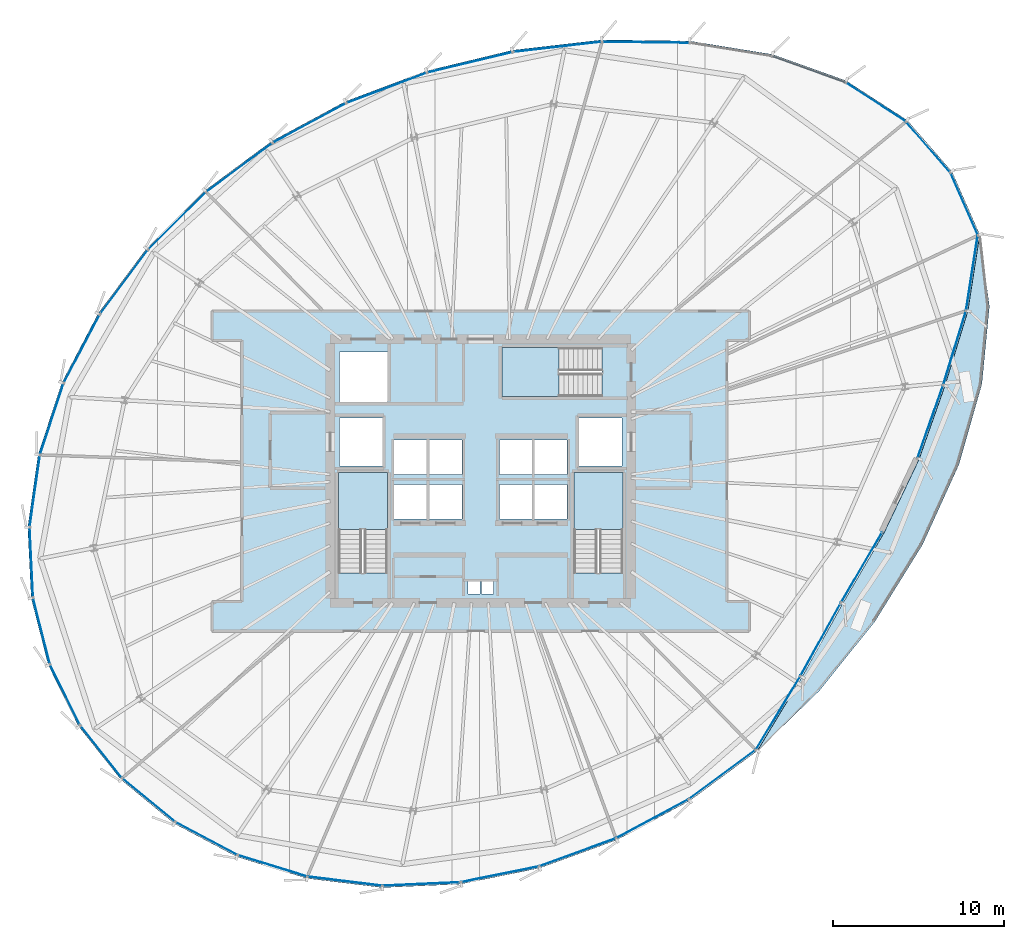
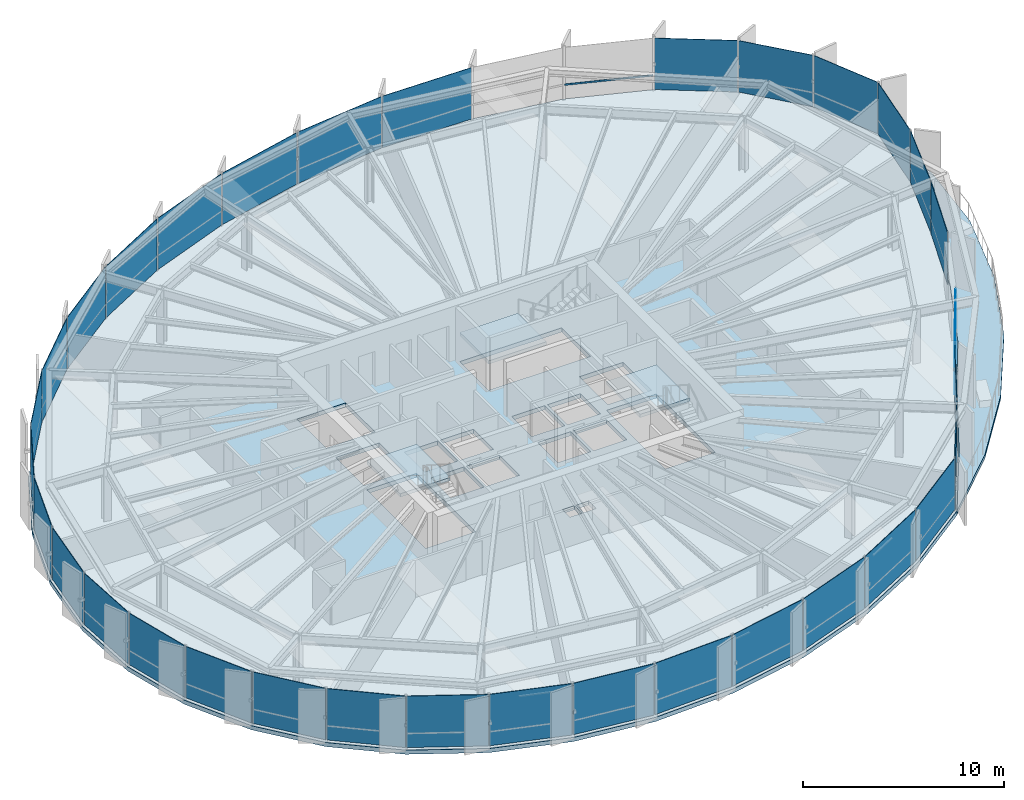
# One storey, part 29 of 36: 33 plates, 5 slabs, 1 member, 10 elements without a shape of their own.
"""IFC4 building model written with IfcOpenShell, lengths in metres."""

from ifc_helpers import new_model, si_unit, direction, frame, origin, origin_2d, place, context, subcontext, project, spatial, polyline, rectangle, hollow_rectangle, outline, extrude, source, transform, mapped, material, layer, layer_set, material_profile, profile_set, type_object, element, aggregate, save


model = new_model("IFC4")

# Units and contexts
model_context = context("Model", 3, precision=1e-05, world=origin(), true_north=direction((0.0, 1.0)))
body_context = subcontext(model_context, "Body", "Model", "MODEL_VIEW")
ifc_project = project(units=[si_unit("LENGTHUNIT", "METRE"), si_unit("AREAUNIT", "SQUARE_METRE"), si_unit("VOLUMEUNIT", "CUBIC_METRE"), si_unit("PLANEANGLEUNIT", "RADIAN"), si_unit("MASSUNIT", "GRAM", prefix="KILO"), si_unit("THERMODYNAMICTEMPERATUREUNIT", "KELVIN")], contexts=[model_context])

# Site, building, storey
site_placement = place(None, origin())
site = spatial("IfcSite", under=ifc_project, at=site_placement, CompositionType="ELEMENT")
building_placement = place(site_placement, origin())
building = spatial("IfcBuilding", under=site, at=building_placement, Name="Kethvar Cultural Tower", CompositionType="ELEMENT")
storey_placement = place(building_placement, frame((0.0, 0.0, 164.300048828125)))
storey = spatial("IfcBuildingStorey", under=building, at=storey_placement, Name="L42", CompositionType="ELEMENT", Elevation=164.300048828125)

# Curtain wall, member
ifc_material_1 = material(Name="Aluminium 6063-T6", Category="aluminium")
ifc_layer_1 = layer(ifc_material_1, 0.179931640625, Name="Aluminium 6063-T6", Category="aluminium")
ifc_layer_set_1 = layer_set([ifc_layer_1], Name="Aluminium 6063-T6 (180 mm)")
curtain_wall_type = type_object("IfcCurtainWallType", Name="CW-SYS-04-Z34", PredefinedType="NOTDEFINED", material=ifc_layer_set_1)
curtain_wall_1_placement = place(storey_placement, origin())
curtain_wall_1 = element("IfcCurtainWall", 1, at=curtain_wall_1_placement, inside=storey, type_object=curtain_wall_type, Name="L42 Curtain Wall Run 01", PredefinedType="NOTDEFINED")
ifc_material_profile = material_profile(ifc_material_1, hollow_rectangle(XDim=0.050048828125, YDim=0.10009765625, WallThickness=0.00390625, at=origin_2d()), Name="Aluminium 6063-T6 — RHS100x50x4")
ifc_profile_set = profile_set([ifc_material_profile], Name="Aluminium 6063-T6 — RHS100x50x4")
member_type = type_object("IfcMemberType", Name="CW-SYS-04-Z34-TRN", PredefinedType="USERDEFINED", material=ifc_profile_set)
shared_shape_1 = source(origin(), body_context, "Body", "SweptSolid", [
    extrude(hollow_rectangle(XDim=0.050048828125, YDim=0.10009765625, WallThickness=0.00390625, at=origin_2d()), origin(), (0.0, 0.0, 1.0), 4.485107421875),
])
member_placement = place(storey_placement, frame((68.1005859375, 50.524658203125, 0.949951171875), z_axis=(-0.941624862059, 0.336663955826, 0.0), x_axis=(-0.336663955826, -0.941624862059, 0.0)))
member = element("IfcMember", 2, at=member_placement, type_object=member_type, Name="CW-L42-R01 Transom 3", ObjectType="TRANSOM", PredefinedType="USERDEFINED", context=body_context, shape_type="MappedRepresentation", body=[
    mapped(shared_shape_1, transform((0.0, 0.0, 0.0), scale=1.0)),
])

# Stair, slab
ifc_material_2 = material(Name="Concrete C40/50", Category="concrete")
stair_type = type_object("IfcStairType", Name="ST-DOGLEG-135", PredefinedType="HALF_TURN_STAIR", material=ifc_material_2)
stair_1_placement = place(storey_placement, origin())
stair_1 = element("IfcStair", 3, at=stair_1_placement, inside=storey, type_object=stair_type, Name="L42 Core Exit Stair 1", PredefinedType="HALF_TURN_STAIR")
ifc_layer_2 = layer(ifc_material_2, 0.199951171875, Name="Concrete C40/50", Category="concrete")
ifc_layer_set_2 = layer_set([ifc_layer_2], Name="Concrete C40/50 (200 mm)")
slab_type_1 = type_object("IfcSlabType", Name="SL-STAIR-LANDING-200", PredefinedType="LANDING", material=ifc_layer_set_2)
slab_1_placement = place(storey_placement, frame((0.0, 0.0, 1.574951171875)))
slab_1 = element("IfcSlab", 4, at=slab_1_placement, type_object=slab_type_1, Name="ST-01 landing 1", PredefinedType="LANDING", context=body_context, shape_type="SweptSolid", body=[
    extrude(outline(polyline([(41.35009765625, 24.3701171875), (41.35009765625, 27.699951171875), (38.489990234375, 27.699951171875), (38.489990234375, 24.3701171875), (41.35009765625, 24.3701171875)])), origin(), (0.0, 0.0, 1.0), 0.199951171875),
])
aggregate(stair_1, [slab_1])

stair_2_placement = place(storey_placement, origin())
stair_2 = element("IfcStair", 5, at=stair_2_placement, inside=storey, type_object=stair_type, Name="L42 Core Exit Stair 2", PredefinedType="HALF_TURN_STAIR")
slab_2_placement = place(storey_placement, frame((0.0, 0.0, 1.574951171875)))
slab_2 = element("IfcSlab", 6, at=slab_2_placement, type_object=slab_type_1, Name="ST-02 landing 1", PredefinedType="LANDING", context=body_context, shape_type="SweptSolid", body=[
    extrude(outline(polyline([(55.110107421875, 24.3701171875), (55.110107421875, 27.699951171875), (52.25, 27.699951171875), (52.25, 24.3701171875), (55.110107421875, 24.3701171875)])), origin(), (0.0, 0.0, 1.0), 0.199951171875),
])
aggregate(stair_2, [slab_2])

stair_3_placement = place(storey_placement, origin())
stair_3 = element("IfcStair", 7, at=stair_3_placement, inside=storey, type_object=stair_type, Name="L42 Core Exit Stair 3", PredefinedType="HALF_TURN_STAIR")
slab_3_placement = place(storey_placement, frame((0.0, 0.0, 1.574951171875)))
slab_3 = element("IfcSlab", 8, at=slab_3_placement, type_object=slab_type_1, Name="ST-03 landing 1", PredefinedType="LANDING", context=body_context, shape_type="SweptSolid", body=[
    extrude(outline(polyline([(51.3798828125, 35.010009765625), (48.050048828125, 35.010009765625), (48.050048828125, 32.14990234375), (51.3798828125, 32.14990234375), (51.3798828125, 35.010009765625)])), origin(), (0.0, 0.0, 1.0), 0.199951171875),
])
aggregate(stair_3, [slab_3])

# Slabs
ifc_layer_3 = layer(ifc_material_2, 0.215087890625, Name="Concrete C40/50", Category="concrete")
ifc_layer_set_3 = layer_set([ifc_layer_3], Name="Concrete C40/50 (215 mm)")
slab_type_2 = type_object("IfcSlabType", Name="SL-TER-EXT", PredefinedType="FLOOR", material=ifc_layer_set_3)
slab_4_placement = place(storey_placement, frame((0.0, 0.0, -0.215087890625)))
element("IfcSlab", 9, at=slab_4_placement, inside=storey, type_object=slab_type_2, Name="L42 Spiralling Sky Terrace Deck", PredefinedType="FLOOR", context=body_context, shape_type="SweptSolid", body=[
    extrude(outline(polyline([(62.978759765625, 11.44287109375), (66.61181640625, 14.968017578125), (69.864013671875, 19.023681640625), (72.624267578125, 23.478515625), (74.75341796875, 28.161865234375), (76.104736328125, 32.879638671875), (76.544921875, 37.429931640625), (75.9775390625, 41.6220703125), (75.282470703125, 37.152587890625), (73.944580078125, 32.789306640625), (72.424072265625, 28.47265625), (70.38427734375, 24.18896484375), (67.947998046875, 20.025390625), (65.587646484375, 15.756591796875), (62.978759765625, 11.44287109375)])), origin(), (0.0, 0.0, 1.0), 0.215087890625),
])
ifc_layer_4 = layer(ifc_material_2, 0.25, Name="Concrete C40/50", Category="concrete")
ifc_layer_set_4 = layer_set([ifc_layer_4], Name="Concrete C40/50 (250 mm)")
slab_type_3 = type_object("IfcSlabType", Name="SL-TOW-250", PredefinedType="FLOOR", material=ifc_layer_set_4)
slab_5_placement = place(storey_placement, frame((0.0, 0.0, -0.25)))
element("IfcSlab", 10, at=slab_5_placement, inside=storey, type_object=slab_type_3, Name="L42 Structural Floor Slab", PredefinedType="FLOOR", context=body_context, shape_type="SweptSolid", body=[
    extrude(outline(polyline([(74.363037109375, 45.2919921875), (71.729736328125, 48.3154296875), (68.17822265625, 50.613525390625), (63.87353515625, 52.15283203125), (59.029541015625, 52.93896484375), (53.885009765625, 53.006591796875), (48.67919921875, 52.40576171875), (43.624755859375, 51.189697265625), (38.88818359375, 49.403564453125), (34.56884765625, 47.072998046875), (30.672119140625, 44.189453125), (27.265625, 40.807861328125), (24.452392578125, 37.031005859375), (22.318359375, 32.9736328125), (20.927978515625, 28.759033203125), (20.323974609375, 24.515380859375), (20.5244140625, 20.37158203125), (21.52294921875, 16.453369140625), (23.289794921875, 12.8798828125), (25.770751953125, 9.760009765625), (28.890869140625, 7.18798828125), (32.55517578125, 5.2421875), (36.652099609375, 3.982177734375), (41.0576171875, 3.445556640625), (45.63720703125, 3.64892578125), (50.25244140625, 4.586181640625), (54.7626953125, 6.22900390625), (59.031005859375, 8.52685546875), (62.978759765625, 11.44287109375), (65.587646484375, 15.756591796875), (67.947998046875, 20.025390625), (70.38427734375, 24.18896484375), (72.424072265625, 28.47265625), (73.944580078125, 32.789306640625), (75.282470703125, 37.152587890625), (75.9775390625, 41.6220703125), (74.363037109375, 45.2919921875)]), holes=[polyline([(38.489990234375, 21.85009765625), (38.489990234375, 27.699951171875), (41.35009765625, 27.699951171875), (41.35009765625, 21.85009765625), (38.489990234375, 21.85009765625)]), polyline([(52.25, 21.85009765625), (52.25, 27.699951171875), (55.110107421875, 27.699951171875), (55.110107421875, 21.85009765625), (52.25, 21.85009765625)]), polyline([(53.89990234375, 32.14990234375), (48.050048828125, 32.14990234375), (48.050048828125, 35.010009765625), (53.89990234375, 35.010009765625), (53.89990234375, 32.14990234375)]), polyline([(41.75, 27.0), (43.64990234375, 27.0), (43.64990234375, 25.0), (41.75, 25.0), (41.75, 27.0)]), polyline([(43.800048828125, 27.0), (45.699951171875, 27.0), (45.699951171875, 25.0), (43.800048828125, 25.0), (43.800048828125, 27.0)]), polyline([(47.89990234375, 27.0), (49.800048828125, 27.0), (49.800048828125, 25.0), (47.89990234375, 25.0), (47.89990234375, 27.0)]), polyline([(49.949951171875, 27.0), (51.85009765625, 27.0), (51.85009765625, 25.0), (49.949951171875, 25.0), (49.949951171875, 27.0)]), polyline([(41.75, 29.60009765625), (43.64990234375, 29.60009765625), (43.64990234375, 27.60009765625), (41.75, 27.60009765625), (41.75, 29.60009765625)]), polyline([(43.800048828125, 29.60009765625), (45.699951171875, 29.60009765625), (45.699951171875, 27.60009765625), (43.800048828125, 27.60009765625), (43.800048828125, 29.60009765625)]), polyline([(47.89990234375, 29.60009765625), (49.800048828125, 29.60009765625), (49.800048828125, 27.60009765625), (47.89990234375, 27.60009765625), (47.89990234375, 29.60009765625)]), polyline([(49.949951171875, 29.60009765625), (51.85009765625, 29.60009765625), (51.85009765625, 27.60009765625), (49.949951171875, 27.60009765625), (49.949951171875, 29.60009765625)]), polyline([(38.550048828125, 30.89990234375), (41.050048828125, 30.89990234375), (41.050048828125, 28.10009765625), (38.550048828125, 28.10009765625), (38.550048828125, 30.89990234375)]), polyline([(52.550048828125, 30.89990234375), (55.050048828125, 30.89990234375), (55.050048828125, 28.10009765625), (52.550048828125, 28.10009765625), (52.550048828125, 30.89990234375)]), polyline([(38.550048828125, 34.75), (41.35009765625, 34.75), (41.35009765625, 31.85009765625), (38.550048828125, 31.85009765625), (38.550048828125, 34.75)]), polyline([(46.050048828125, 21.35009765625), (46.75, 21.35009765625), (46.75, 20.60009765625), (46.050048828125, 20.60009765625), (46.050048828125, 21.35009765625)]), polyline([(46.85009765625, 21.35009765625), (47.550048828125, 21.35009765625), (47.550048828125, 20.60009765625), (46.85009765625, 20.60009765625), (46.85009765625, 21.35009765625)])]), origin(), (0.0, 0.0, 1.0), 0.25),
])

# Curtain wall, plate
curtain_wall_2_placement = place(storey_placement, origin())
curtain_wall_2 = element("IfcCurtainWall", 11, at=curtain_wall_2_placement, inside=storey, type_object=curtain_wall_type, Name="L42 Curtain Wall Run 03", PredefinedType="NOTDEFINED")
ifc_material_3 = material(Name="Insulated Low-E Solar Glass", Category="glass")
ifc_layer_5 = layer(ifc_material_3, 0.030029296875, Name="Insulated Low-E Solar Glass", Category="glass")
ifc_layer_set_5 = layer_set([ifc_layer_5], Name="Insulated Low-E Solar Glass (30 mm)")
plate_type = type_object("IfcPlateType", Name="CW-SYS-04-Z34-PNL", PredefinedType="CURTAIN_PANEL", material=ifc_layer_set_5)
shared_shape_2 = source(origin(), body_context, "Body", "SweptSolid", [
    extrude(rectangle(XDim=4.351318359375, YDim=0.030029296875, at=origin_2d()), origin(), (0.0, 0.0, 1.0), 3.1201171875),
])
plate_1_placement = place(storey_placement, frame((21.7275390625, 30.831787109375, 0.08984375), z_axis=(0.0, 0.0, 1.0), x_axis=(-0.313263257026, -0.949666326558, 0.0)))
plate_1 = element("IfcPlate", 12, at=plate_1_placement, type_object=plate_type, Name="CW-L42-R03 Vision Glazing Panel 2", PredefinedType="CURTAIN_PANEL", context=body_context, shape_type="MappedRepresentation", body=[
    mapped(shared_shape_2, transform((0.0, 0.0, 0.0), scale=1.0)),
])

# Plate
shared_shape_3 = source(origin(), body_context, "Body", "SweptSolid", [
    extrude(rectangle(XDim=3.923095703125, YDim=0.030029296875, at=origin_2d()), origin(), (0.0, 0.0, 1.0), 3.1201171875),
])
plate_2_placement = place(storey_placement, frame((72.96337890625, 46.7314453125, 0.08984375), z_axis=(0.0, 0.0, 1.0), x_axis=(-0.656756873061, 0.75410238674, 0.0)))
plate_2 = element("IfcPlate", 13, at=plate_2_placement, type_object=plate_type, Name="CW-L42-R01 Vision Glazing Panel 1", PredefinedType="CURTAIN_PANEL", context=body_context, shape_type="MappedRepresentation", body=[
    mapped(shared_shape_3, transform((0.0, 0.0, 0.0), scale=1.0)),
])

# Curtain wall, plate
curtain_wall_3_placement = place(storey_placement, origin())
curtain_wall_3 = element("IfcCurtainWall", 14, at=curtain_wall_3_placement, inside=storey, type_object=curtain_wall_type, Name="L42 Curtain Wall Run 07", PredefinedType="NOTDEFINED")
plate_3_placement = place(storey_placement, frame((75.069580078125, 43.41259765625, 0.08984375), z_axis=(0.0, 0.0, 1.0), x_axis=(-0.40269876371, 0.915332565632, 0.0)))
plate_3 = element("IfcPlate", 15, at=plate_3_placement, type_object=plate_type, Name="CW-L42-R07 Vision Glazing Panel 4", PredefinedType="CURTAIN_PANEL", context=body_context, shape_type="MappedRepresentation", body=[
    mapped(shared_shape_3, transform((0.0, 0.0, 0.0), scale=1.0)),
])

# Plate
shared_shape_4 = source(origin(), body_context, "Body", "SweptSolid", [
    extrude(rectangle(XDim=4.143798828125, YDim=0.030029296875, at=origin_2d()), origin(), (0.0, 0.0, 1.0), 3.1201171875),
])
plate_4_placement = place(storey_placement, frame((69.894287109375, 49.372314453125, 0.08984375), z_axis=(0.0, 0.0, 1.0), x_axis=(-0.839572460425, 0.543247718538, 0.0)))
plate_4 = element("IfcPlate", 16, at=plate_4_placement, type_object=plate_type, Name="CW-L42-R01 Vision Glazing Panel 2", PredefinedType="CURTAIN_PANEL", context=body_context, shape_type="MappedRepresentation", body=[
    mapped(shared_shape_4, transform((0.0, 0.0, 0.0), scale=1.0)),
])

shared_shape_5 = source(origin(), body_context, "Body", "SweptSolid", [
    extrude(rectangle(XDim=5.058349609375, YDim=0.030029296875, at=origin_2d()), origin(), (0.0, 0.0, 1.0), 3.1201171875),
])
plate_5_placement = place(storey_placement, frame((56.455810546875, 52.86279296875, 0.08984375), z_axis=(0.0, 0.0, 1.0), x_axis=(-0.999913640834, 0.013141950945, 0.0)))
plate_5 = element("IfcPlate", 17, at=plate_5_placement, type_object=plate_type, Name="CW-L42-R01 Vision Glazing Panel 5", PredefinedType="CURTAIN_PANEL", context=body_context, shape_type="MappedRepresentation", body=[
    mapped(shared_shape_5, transform((0.0, 0.0, 0.0), scale=1.0)),
])

shared_shape_6 = source(origin(), body_context, "Body", "SweptSolid", [
    extrude(rectangle(XDim=5.154296875, YDim=0.030029296875, at=origin_2d()), origin(), (0.0, 0.0, 1.0), 3.1201171875),
])
plate_6_placement = place(storey_placement, frame((51.294677734375, 52.596923828125, 0.08984375), z_axis=(0.0, 0.0, 1.0), x_axis=(-0.993406824413, -0.114642405805, 0.0)))
plate_6 = element("IfcPlate", 18, at=plate_6_placement, type_object=plate_type, Name="CW-L42-R01 Vision Glazing Panel 6", PredefinedType="CURTAIN_PANEL", context=body_context, shape_type="MappedRepresentation", body=[
    mapped(shared_shape_6, transform((0.0, 0.0, 0.0), scale=1.0)),
])

aggregate(curtain_wall_1, [plate_2, plate_4, member, plate_5, plate_6])

# Curtain wall, plates
curtain_wall_4_placement = place(storey_placement, origin())
curtain_wall_4 = element("IfcCurtainWall", 19, at=curtain_wall_4_placement, inside=storey, type_object=curtain_wall_type, Name="L42 Curtain Wall Run 02", PredefinedType="NOTDEFINED")
shared_shape_7 = source(origin(), body_context, "Body", "SweptSolid", [
    extrude(rectangle(XDim=5.112060546875, YDim=0.030029296875, at=origin_2d()), origin(), (0.0, 0.0, 1.0), 3.1201171875),
])
plate_7_placement = place(storey_placement, frame((46.177490234375, 51.69091796875, 0.08984375), z_axis=(0.0, 0.0, 1.0), x_axis=(-0.972255721365, -0.233920525548, 0.0)))
plate_7 = element("IfcPlate", 20, at=plate_7_placement, type_object=plate_type, Name="CW-L42-R02 Vision Glazing Panel 1", PredefinedType="CURTAIN_PANEL", context=body_context, shape_type="MappedRepresentation", body=[
    mapped(shared_shape_7, transform((0.0, 0.0, 0.0), scale=1.0)),
])
shared_shape_8 = source(origin(), body_context, "Body", "SweptSolid", [
    extrude(rectangle(XDim=4.975830078125, YDim=0.030029296875, at=origin_2d()), origin(), (0.0, 0.0, 1.0), 3.1201171875),
])
plate_8_placement = place(storey_placement, frame((41.29541015625, 50.193603515625, 0.08984375), z_axis=(0.0, 0.0, 1.0), x_axis=(-0.935678258471, -0.352854356108, 0.0)))
plate_8 = element("IfcPlate", 21, at=plate_8_placement, type_object=plate_type, Name="CW-L42-R02 Vision Glazing Panel 2", PredefinedType="CURTAIN_PANEL", context=body_context, shape_type="MappedRepresentation", body=[
    mapped(shared_shape_8, transform((0.0, 0.0, 0.0), scale=1.0)),
])
shared_shape_9 = source(origin(), body_context, "Body", "SweptSolid", [
    extrude(rectangle(XDim=4.8212890625, YDim=0.030029296875, at=origin_2d()), origin(), (0.0, 0.0, 1.0), 3.1201171875),
])
plate_9_placement = place(storey_placement, frame((36.78076171875, 48.1416015625, 0.08984375), z_axis=(0.0, 0.0, 1.0), x_axis=(-0.88007987337, -0.474825669577, 0.0)))
plate_9 = element("IfcPlate", 22, at=plate_9_placement, type_object=plate_type, Name="CW-L42-R02 Vision Glazing Panel 3", PredefinedType="CURTAIN_PANEL", context=body_context, shape_type="MappedRepresentation", body=[
    mapped(shared_shape_9, transform((0.0, 0.0, 0.0), scale=1.0)),
])

# Curtain wall, plate
curtain_wall_5_placement = place(storey_placement, origin())
curtain_wall_5 = element("IfcCurtainWall", 23, at=curtain_wall_5_placement, inside=storey, type_object=curtain_wall_type, Name="L42 Curtain Wall Run 05", PredefinedType="NOTDEFINED")
plate_10_placement = place(storey_placement, frame((60.939453125, 10.0732421875, 0.08984375), z_axis=(0.0, 0.0, 1.0), x_axis=(0.804354896043, 0.594149140547, 0.0)))
plate_10 = element("IfcPlate", 24, at=plate_10_placement, type_object=plate_type, Name="CW-L42-R05 Vision Glazing Panel 4", PredefinedType="CURTAIN_PANEL", context=body_context, shape_type="MappedRepresentation", body=[
    mapped(shared_shape_9, transform((0.0, 0.0, 0.0), scale=1.0)),
])

# Plate
shared_shape_10 = source(origin(), body_context, "Body", "SweptSolid", [
    extrude(rectangle(XDim=4.76123046875, YDim=0.030029296875, at=origin_2d()), origin(), (0.0, 0.0, 1.0), 3.1201171875),
])
plate_11_placement = place(storey_placement, frame((32.68603515625, 45.54296875, 0.08984375), z_axis=(0.0, 0.0, 1.0), x_axis=(-0.803836096895, -0.594850846287, 0.0)))
plate_11 = element("IfcPlate", 25, at=plate_11_placement, type_object=plate_type, Name="CW-L42-R02 Vision Glazing Panel 4", PredefinedType="CURTAIN_PANEL", context=body_context, shape_type="MappedRepresentation", body=[
    mapped(shared_shape_10, transform((0.0, 0.0, 0.0), scale=1.0)),
])

plate_12_placement = place(storey_placement, frame((56.8447265625, 7.474853515625, 0.08984375), z_axis=(0.0, 0.0, 1.0), x_axis=(0.880502175503, 0.474042106711, 0.0)))
plate_12 = element("IfcPlate", 26, at=plate_12_placement, type_object=plate_type, Name="CW-L42-R05 Vision Glazing Panel 3", PredefinedType="CURTAIN_PANEL", context=body_context, shape_type="MappedRepresentation", body=[
    mapped(shared_shape_10, transform((0.0, 0.0, 0.0), scale=1.0)),
])

shared_shape_11 = source(origin(), body_context, "Body", "SweptSolid", [
    extrude(rectangle(XDim=4.713623046875, YDim=0.030029296875, at=origin_2d()), origin(), (0.0, 0.0, 1.0), 3.1201171875),
])
plate_13_placement = place(storey_placement, frame((29.04638671875, 42.420654296875, 0.08984375), z_axis=(0.0, 0.0, 1.0), x_axis=(-0.709693707598, -0.704510355776, 0.0)))
plate_13 = element("IfcPlate", 27, at=plate_13_placement, type_object=plate_type, Name="CW-L42-R02 Vision Glazing Panel 5", PredefinedType="CURTAIN_PANEL", context=body_context, shape_type="MappedRepresentation", body=[
    mapped(shared_shape_11, transform((0.0, 0.0, 0.0), scale=1.0)),
])

shared_shape_12 = source(origin(), body_context, "Body", "SweptSolid", [
    extrude(rectangle(XDim=4.623046875, YDim=0.030029296875, at=origin_2d()), origin(), (0.0, 0.0, 1.0), 3.1201171875),
])
plate_14_placement = place(storey_placement, frame((25.947265625, 38.853759765625, 0.08984375), z_axis=(0.0, 0.0, 1.0), x_axis=(-0.597359235249, -0.801973780159, 0.0)))
plate_14 = element("IfcPlate", 28, at=plate_14_placement, type_object=plate_type, Name="CW-L42-R02 Vision Glazing Panel 6", PredefinedType="CURTAIN_PANEL", context=body_context, shape_type="MappedRepresentation", body=[
    mapped(shared_shape_12, transform((0.0, 0.0, 0.0), scale=1.0)),
])

aggregate(curtain_wall_4, [plate_7, plate_8, plate_9, plate_11, plate_13, plate_14])

plate_15_placement = place(storey_placement, frame((47.923095703125, 4.225341796875, 0.08984375), z_axis=(0.0, 0.0, 1.0), x_axis=(0.979997710964, 0.199008759871, 0.0)))
plate_15 = element("IfcPlate", 29, at=plate_15_placement, type_object=plate_type, Name="CW-L42-R05 Vision Glazing Panel 1", PredefinedType="CURTAIN_PANEL", context=body_context, shape_type="MappedRepresentation", body=[
    mapped(shared_shape_12, transform((0.0, 0.0, 0.0), scale=1.0)),
])

shared_shape_13 = source(origin(), body_context, "Body", "SweptSolid", [
    extrude(rectangle(XDim=4.498046875, YDim=0.030029296875, at=origin_2d()), origin(), (0.0, 0.0, 1.0), 3.1201171875),
])
plate_16_placement = place(storey_placement, frame((23.482666015625, 34.951171875, 0.08984375), z_axis=(0.0, 0.0, 1.0), x_axis=(-0.465506395214, -0.885044516403, 0.0)))
plate_16 = element("IfcPlate", 30, at=plate_16_placement, type_object=plate_type, Name="CW-L42-R03 Vision Glazing Panel 1", PredefinedType="CURTAIN_PANEL", context=body_context, shape_type="MappedRepresentation", body=[
    mapped(shared_shape_13, transform((0.0, 0.0, 0.0), scale=1.0)),
])

shared_shape_14 = source(origin(), body_context, "Body", "SweptSolid", [
    extrude(rectangle(XDim=4.199951171875, YDim=0.030029296875, at=origin_2d()), origin(), (0.0, 0.0, 1.0), 3.1201171875),
])
plate_17_placement = place(storey_placement, frame((20.73486328125, 26.62158203125, 0.08984375), z_axis=(0.0, 0.0, 1.0), x_axis=(-0.140935790197, -0.990018738733, 0.0)))
plate_17 = element("IfcPlate", 31, at=plate_17_placement, type_object=plate_type, Name="CW-L42-R03 Vision Glazing Panel 3", PredefinedType="CURTAIN_PANEL", context=body_context, shape_type="MappedRepresentation", body=[
    mapped(shared_shape_14, transform((0.0, 0.0, 0.0), scale=1.0)),
])

# Curtain wall, plate
curtain_wall_6_placement = place(storey_placement, origin())
curtain_wall_6 = element("IfcCurtainWall", 32, at=curtain_wall_6_placement, inside=storey, type_object=curtain_wall_type, Name="L42 Curtain Wall Run 04", PredefinedType="NOTDEFINED")
plate_18_placement = place(storey_placement, frame((34.635986328125, 4.71728515625, 0.08984375), z_axis=(0.0, 0.0, 1.0), x_axis=(0.955808409404, -0.293990279624, 0.0)))
plate_18 = element("IfcPlate", 33, at=plate_18_placement, type_object=plate_type, Name="CW-L42-R04 Vision Glazing Panel 4", PredefinedType="CURTAIN_PANEL", context=body_context, shape_type="MappedRepresentation", body=[
    mapped(shared_shape_14, transform((0.0, 0.0, 0.0), scale=1.0)),
])

# Plate
shared_shape_15 = source(origin(), body_context, "Body", "SweptSolid", [
    extrude(rectangle(XDim=4.062255859375, YDim=0.030029296875, at=origin_2d()), origin(), (0.0, 0.0, 1.0), 3.1201171875),
])
plate_19_placement = place(storey_placement, frame((20.5341796875, 22.44873046875, 0.08984375), z_axis=(0.0, 0.0, 1.0), x_axis=(0.048274490687, -0.998834107121, 0.0)))
plate_19 = element("IfcPlate", 34, at=plate_19_placement, type_object=plate_type, Name="CW-L42-R03 Vision Glazing Panel 4", PredefinedType="CURTAIN_PANEL", context=body_context, shape_type="MappedRepresentation", body=[
    mapped(shared_shape_15, transform((0.0, 0.0, 0.0), scale=1.0)),
])

plate_20_placement = place(storey_placement, frame((30.7744140625, 6.312255859375, 0.08984375), z_axis=(0.0, 0.0, 1.0), x_axis=(0.883217842604, -0.468962943639, 0.0)))
plate_20 = element("IfcPlate", 35, at=plate_20_placement, type_object=plate_type, Name="CW-L42-R04 Vision Glazing Panel 3", PredefinedType="CURTAIN_PANEL", context=body_context, shape_type="MappedRepresentation", body=[
    mapped(shared_shape_15, transform((0.0, 0.0, 0.0), scale=1.0)),
])

shared_shape_16 = source(origin(), body_context, "Body", "SweptSolid", [
    extrude(rectangle(XDim=3.95703125, YDim=0.030029296875, at=origin_2d()), origin(), (0.0, 0.0, 1.0), 3.1201171875),
])
plate_21_placement = place(storey_placement, frame((21.13037109375, 18.439697265625, 0.08984375), z_axis=(0.0, 0.0, 1.0), x_axis=(0.246999012723, -0.969015731407, 0.0)))
plate_21 = element("IfcPlate", 36, at=plate_21_placement, type_object=plate_type, Name="CW-L42-R03 Vision Glazing Panel 5", PredefinedType="CURTAIN_PANEL", context=body_context, shape_type="MappedRepresentation", body=[
    mapped(shared_shape_16, transform((0.0, 0.0, 0.0), scale=1.0)),
])

plate_22_placement = place(storey_placement, frame((27.40087890625, 8.558837890625, 0.08984375), z_axis=(0.0, 0.0, 1.0), x_axis=(0.771624583388, -0.636078220278, 0.0)))
plate_22 = element("IfcPlate", 37, at=plate_22_placement, type_object=plate_type, Name="CW-L42-R04 Vision Glazing Panel 2", PredefinedType="CURTAIN_PANEL", context=body_context, shape_type="MappedRepresentation", body=[
    mapped(shared_shape_16, transform((0.0, 0.0, 0.0), scale=1.0)),
])

shared_shape_17 = source(origin(), body_context, "Body", "SweptSolid", [
    extrude(rectangle(XDim=3.89990234375, YDim=0.030029296875, at=origin_2d()), origin(), (0.0, 0.0, 1.0), 3.1201171875),
])
plate_23_placement = place(storey_placement, frame((22.5048828125, 14.71533203125, 0.08984375), z_axis=(0.0, 0.0, 1.0), x_axis=(0.443212005117, -0.896416821864, 0.0)))
plate_23 = element("IfcPlate", 38, at=plate_23_placement, type_object=plate_type, Name="CW-L42-R03 Vision Glazing Panel 6", PredefinedType="CURTAIN_PANEL", context=body_context, shape_type="MappedRepresentation", body=[
    mapped(shared_shape_17, transform((0.0, 0.0, 0.0), scale=1.0)),
])

aggregate(curtain_wall_2, [plate_16, plate_1, plate_17, plate_19, plate_21, plate_23])

plate_24_placement = place(storey_placement, frame((24.616455078125, 11.388427734375, 0.08984375), z_axis=(0.0, 0.0, 1.0), x_axis=(0.622391697156, -0.782705931567, 0.0)))
plate_24 = element("IfcPlate", 39, at=plate_24_placement, type_object=plate_type, Name="CW-L42-R04 Vision Glazing Panel 1", PredefinedType="CURTAIN_PANEL", context=body_context, shape_type="MappedRepresentation", body=[
    mapped(shared_shape_17, transform((0.0, 0.0, 0.0), scale=1.0)),
])

shared_shape_18 = source(origin(), body_context, "Body", "SweptSolid", [
    extrude(rectangle(XDim=4.3515625, YDim=0.030029296875, at=origin_2d()), origin(), (0.0, 0.0, 1.0), 3.1201171875),
])
plate_25_placement = place(storey_placement, frame((38.8681640625, 3.822998046875, 0.08984375), z_axis=(0.0, 0.0, 1.0), x_axis=(0.992662680495, -0.120916511494, 0.0)))
plate_25 = element("IfcPlate", 40, at=plate_25_placement, type_object=plate_type, Name="CW-L42-R04 Vision Glazing Panel 5", PredefinedType="CURTAIN_PANEL", context=body_context, shape_type="MappedRepresentation", body=[
    mapped(shared_shape_18, transform((0.0, 0.0, 0.0), scale=1.0)),
])

shared_shape_19 = source(origin(), body_context, "Body", "SweptSolid", [
    extrude(rectangle(XDim=4.497802734375, YDim=0.030029296875, at=origin_2d()), origin(), (0.0, 0.0, 1.0), 3.1201171875),
])
plate_26_placement = place(storey_placement, frame((43.342529296875, 3.6572265625, 0.08984375), z_axis=(0.0, 0.0, 1.0), x_axis=(0.999014429711, 0.044386588385, 0.0)))
plate_26 = element("IfcPlate", 41, at=plate_26_placement, type_object=plate_type, Name="CW-L42-R04 Vision Glazing Panel 6", PredefinedType="CURTAIN_PANEL", context=body_context, shape_type="MappedRepresentation", body=[
    mapped(shared_shape_19, transform((0.0, 0.0, 0.0), scale=1.0)),
])

aggregate(curtain_wall_6, [plate_24, plate_22, plate_20, plate_18, plate_25, plate_26])

shared_shape_20 = source(origin(), body_context, "Body", "SweptSolid", [
    extrude(rectangle(XDim=4.7138671875, YDim=0.030029296875, at=origin_2d()), origin(), (0.0, 0.0, 1.0), 3.1201171875),
])
plate_27_placement = place(storey_placement, frame((52.469970703125, 5.510986328125, 0.08984375), z_axis=(0.0, 0.0, 1.0), x_axis=(0.939620967645, 0.342216944585, 0.0)))
plate_27 = element("IfcPlate", 42, at=plate_27_placement, type_object=plate_type, Name="CW-L42-R05 Vision Glazing Panel 2", PredefinedType="CURTAIN_PANEL", context=body_context, shape_type="MappedRepresentation", body=[
    mapped(shared_shape_20, transform((0.0, 0.0, 0.0), scale=1.0)),
])

shared_shape_21 = source(origin(), body_context, "Body", "SweptSolid", [
    extrude(rectangle(XDim=4.955078125, YDim=0.030029296875, at=origin_2d()), origin(), (0.0, 0.0, 1.0), 3.1201171875),
])
plate_28_placement = place(storey_placement, frame((64.18896484375, 13.65673828125, 0.08984375), z_axis=(0.0, 0.0, 1.0), x_axis=(0.517519334825, 0.855671512955, 0.0)))
plate_28 = element("IfcPlate", 43, at=plate_28_placement, type_object=plate_type, Name="CW-L42-R05 Vision Glazing Panel 5", PredefinedType="CURTAIN_PANEL", context=body_context, shape_type="MappedRepresentation", body=[
    mapped(shared_shape_21, transform((0.0, 0.0, 0.0), scale=1.0)),
])

shared_shape_22 = source(origin(), body_context, "Body", "SweptSolid", [
    extrude(rectangle(XDim=4.791259765625, YDim=0.030029296875, at=origin_2d()), origin(), (0.0, 0.0, 1.0), 3.1201171875),
])
plate_29_placement = place(storey_placement, frame((66.67138671875, 17.944091796875, 0.08984375), z_axis=(0.0, 0.0, 1.0), x_axis=(0.483893454972, 0.87512691893, 0.0)))
plate_29 = element("IfcPlate", 44, at=plate_29_placement, type_object=plate_type, Name="CW-L42-R05 Vision Glazing Panel 6", PredefinedType="CURTAIN_PANEL", context=body_context, shape_type="MappedRepresentation", body=[
    mapped(shared_shape_22, transform((0.0, 0.0, 0.0), scale=1.0)),
])

aggregate(curtain_wall_5, [plate_15, plate_27, plate_12, plate_10, plate_28, plate_29])

# Curtain wall, plate
curtain_wall_7_placement = place(storey_placement, origin())
curtain_wall_7 = element("IfcCurtainWall", 45, at=curtain_wall_7_placement, inside=storey, type_object=curtain_wall_type, Name="L42 Curtain Wall Run 06", PredefinedType="NOTDEFINED")
shared_shape_23 = source(origin(), body_context, "Body", "SweptSolid", [
    extrude(rectangle(XDim=4.737548828125, YDim=0.030029296875, at=origin_2d()), origin(), (0.0, 0.0, 1.0), 3.1201171875),
])
plate_30_placement = place(storey_placement, frame((69.071044921875, 22.16259765625, 0.08984375), z_axis=(0.0, 0.0, 1.0), x_axis=(0.505024820243, 0.863104820366, 0.0)))
plate_30 = element("IfcPlate", 46, at=plate_30_placement, type_object=plate_type, Name="CW-L42-R06 Vision Glazing Panel 1", PredefinedType="CURTAIN_PANEL", context=body_context, shape_type="MappedRepresentation", body=[
    mapped(shared_shape_23, transform((0.0, 0.0, 0.0), scale=1.0)),
])
aggregate(curtain_wall_7, [plate_30])

# Plate
shared_shape_24 = source(origin(), body_context, "Body", "SweptSolid", [
    extrude(rectangle(XDim=4.489990234375, YDim=0.030029296875, at=origin_2d()), origin(), (0.0, 0.0, 1.0), 3.1201171875),
])
plate_31_placement = place(storey_placement, frame((73.08056640625, 30.66748046875, 0.08984375), z_axis=(0.0, 0.0, 1.0), x_axis=(0.332243442324, 0.943193667829, 0.0)))
plate_31 = element("IfcPlate", 47, at=plate_31_placement, type_object=plate_type, Name="CW-L42-R07 Vision Glazing Panel 1", PredefinedType="CURTAIN_PANEL", context=body_context, shape_type="MappedRepresentation", body=[
    mapped(shared_shape_24, transform((0.0, 0.0, 0.0), scale=1.0)),
])

shared_shape_25 = source(origin(), body_context, "Body", "SweptSolid", [
    extrude(rectangle(XDim=4.477294921875, YDim=0.030029296875, at=origin_2d()), origin(), (0.0, 0.0, 1.0), 3.1201171875),
])
plate_32_placement = place(storey_placement, frame((74.50830078125, 35.003173828125, 0.08984375), z_axis=(0.0, 0.0, 1.0), x_axis=(0.293139381079, 0.956069716737, 0.0)))
plate_32 = element("IfcPlate", 48, at=plate_32_placement, type_object=plate_type, Name="CW-L42-R07 Vision Glazing Panel 2", PredefinedType="CURTAIN_PANEL", context=body_context, shape_type="MappedRepresentation", body=[
    mapped(shared_shape_25, transform((0.0, 0.0, 0.0), scale=1.0)),
])

shared_shape_26 = source(origin(), body_context, "Body", "SweptSolid", [
    extrude(rectangle(XDim=4.436767578125, YDim=0.030029296875, at=origin_2d()), origin(), (0.0, 0.0, 1.0), 3.1201171875),
])
plate_33_placement = place(storey_placement, frame((75.521240234375, 39.404296875, 0.08984375), z_axis=(0.0, 0.0, 1.0), x_axis=(0.153692958454, 0.98811865407, 0.0)))
plate_33 = element("IfcPlate", 49, at=plate_33_placement, type_object=plate_type, Name="CW-L42-R07 Vision Glazing Panel 3", PredefinedType="CURTAIN_PANEL", context=body_context, shape_type="MappedRepresentation", body=[
    mapped(shared_shape_26, transform((0.0, 0.0, 0.0), scale=1.0)),
])

aggregate(curtain_wall_3, [plate_31, plate_32, plate_33, plate_3])

save(model, "model.ifc")
